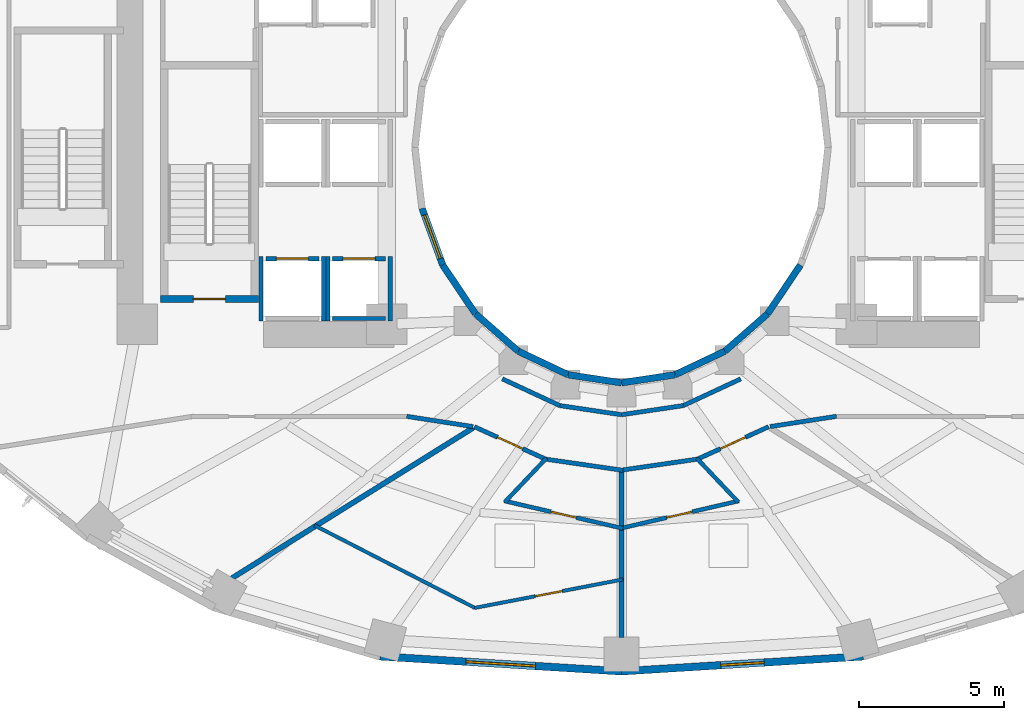
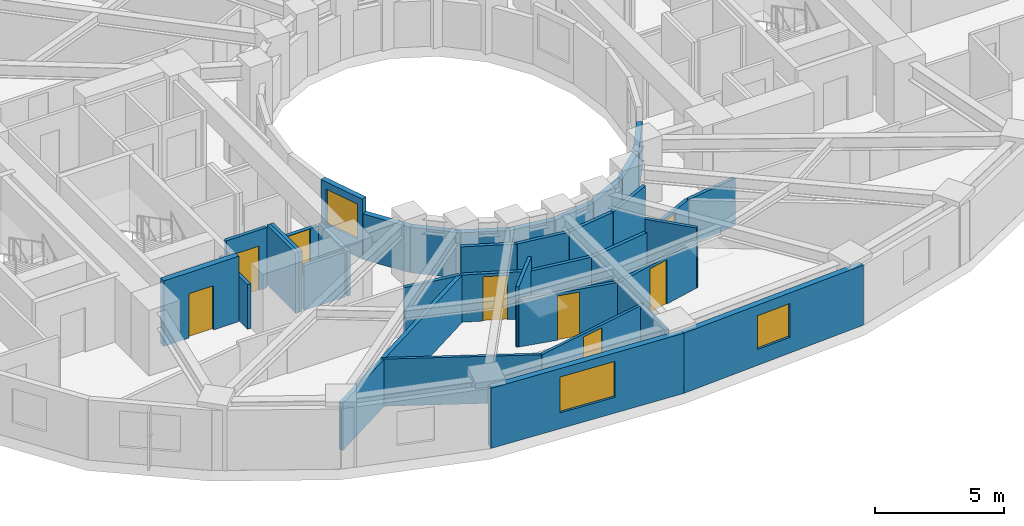
# One storey, part 7 of 14: 37 walls, 8 doors, 3 windows, 11 openings.
"""IFC4 building model written with IfcOpenShell, lengths in metres."""

from ifc_helpers import new_model, si_unit, direction, frame, frame_2d, origin, place, context, subcontext, project, spatial, rectangle, extrude, material, layer, layer_set, type_object, element, fill, save


model = new_model("IFC4")

# Units and contexts
model_context = context("Model", 3, precision=1e-05, world=origin(), true_north=direction((0.0, 1.0)))
body_context = subcontext(model_context, "Body", "Model", "MODEL_VIEW")
ifc_project = project(units=[si_unit("LENGTHUNIT", "METRE"), si_unit("AREAUNIT", "SQUARE_METRE"), si_unit("VOLUMEUNIT", "CUBIC_METRE"), si_unit("PLANEANGLEUNIT", "RADIAN"), si_unit("MASSUNIT", "GRAM", prefix="KILO")], contexts=[model_context])

# Site, building, storey
site_placement = place(None, origin())
site = spatial("IfcSite", under=ifc_project, at=site_placement, CompositionType="ELEMENT")
building_placement = place(site_placement, origin())
building = spatial("IfcBuilding", under=site, at=building_placement, Name="Solvane Sanctuary Tower", CompositionType="ELEMENT")
storey_placement = place(building_placement, frame((0.0, 0.0, 36.89990234375)))
storey = spatial("IfcBuildingStorey", under=building, at=storey_placement, Name="L10", CompositionType="ELEMENT", Elevation=36.89990234375)

# Walls
ifc_material_1 = material(Name="Acoustic Gypsum Partition Board")
ifc_layer_1 = layer(ifc_material_1, 0.14990234375, Name="Acoustic Gypsum Partition Board")
ifc_layer_set_1 = layer_set([ifc_layer_1], Name="Acoustic Gypsum Partition Board")
wall_type_1 = type_object("IfcWallType", Name="Wall W-CORR-150", PredefinedType="PARTITIONING", material=ifc_layer_set_1)
wall_1_placement = place(storey_placement, frame((27.889892578125, 15.01513671875, 0.0), z_axis=(0.0, 0.0, 1.0), x_axis=(0.906943449489, -0.421252393975, 0.0)))
element("IfcWall", 1, at=wall_1_placement, inside=storey, type_object=wall_type_1, Name="L10 Light-Well Corridor Rim Wall S1", PredefinedType="PARTITIONING", context=body_context, shape_type="SweptSolid", body=[
    extrude(rectangle(XDim=2.18603515625, YDim=0.14990234375, at=frame_2d((1.093017578125, 0.0))), origin(), (0.0, 0.0, 1.0), 2.237060546875),
])
for number, where, z_axis, x_axis, name in (
    (2, (29.87255859375, 14.09423828125, 0.0), (0.0, 0.0, 1.0), (0.989268584896, -0.146108408166, 0.0), "L10 Light-Well Corridor Rim Wall S2"),
    (3, (32.0, 13.780029296875, 0.0), (0.0, 0.0, 1.0), (0.989268584896, 0.146108408166, 0.0), "L10 Light-Well Corridor Rim Wall S3"),
):
    element("IfcWall", number, at=place(storey_placement, frame(where, z_axis=z_axis, x_axis=x_axis)), inside=storey, type_object=wall_type_1, Name=name, PredefinedType="PARTITIONING", context=body_context, shape_type="SweptSolid", body=[
        extrude(rectangle(XDim=2.150634765625, YDim=0.14990234375, at=frame_2d((1.0751953125, 0.0))), origin(), (0.0, 0.0, 1.0), 2.237060546875),
    ])
wall_2_placement = place(storey_placement, frame((34.12744140625, 14.09423828125, 0.0), z_axis=(0.0, 0.0, 1.0), x_axis=(0.906943449489, 0.421252393975, 0.0)))
element("IfcWall", 4, at=wall_2_placement, inside=storey, type_object=wall_type_1, Name="L10 Light-Well Corridor Rim Wall S4", PredefinedType="PARTITIONING", context=body_context, shape_type="SweptSolid", body=[
    extrude(rectangle(XDim=2.18603515625, YDim=0.14990234375, at=frame_2d((1.093017578125, 0.0))), origin(), (0.0, 0.0, 1.0), 2.237060546875),
])
for number, where, z_axis, x_axis, name in (
    (5, (26.880615234375, 13.369384765625, 0.0), (0.0, 0.0, 1.0), (-0.988184633586, 0.153268163508, 0.0), "L10 SW Corner Throat Wall"),
    (6, (37.119384765625, 13.369384765625, 0.0), (0.0, 0.0, 1.0), (0.988184633586, 0.153268163508, 0.0), "L10 SE Corner Throat Wall"),
):
    element("IfcWall", number, at=place(storey_placement, frame(where, z_axis=z_axis, x_axis=x_axis)), inside=storey, type_object=wall_type_1, Name=name, PredefinedType="PARTITIONING", context=body_context, shape_type="SweptSolid", body=[
        extrude(rectangle(XDim=2.317626953125, YDim=0.14990234375, at=frame_2d((1.15869140625, 0.0))), origin(), (0.0, 0.0, 1.0), 2.237060546875),
    ])
wall_3_placement = place(storey_placement, frame((29.32861328125, 12.25634765625, 0.0), z_axis=(0.0, 0.0, 1.0), x_axis=(0.989701115085, -0.143149232617, 0.0)))
element("IfcWall", 7, at=wall_3_placement, inside=storey, type_object=wall_type_1, Name="L10 En-suite Inner Wall S1", PredefinedType="PARTITIONING", context=body_context, shape_type="SweptSolid", body=[
    extrude(rectangle(XDim=2.749267578125, YDim=0.14990234375, at=frame_2d((1.37451171875, 0.0))), origin(), (0.0, 0.0, 1.0), 2.237060546875),
])

# Wall, opening, door
wall_4_placement = place(storey_placement, frame((26.928955078125, 13.364990234375, 0.0), z_axis=(0.0, 0.0, 1.0), x_axis=(0.910186679378, -0.414198272186, 0.0)))
wall_4 = element("IfcWall", 8, at=wall_4_placement, inside=storey, type_object=wall_type_1, Name="L10 Unit Corridor Wall S1", PredefinedType="PARTITIONING", context=body_context, shape_type="SweptSolid", body=[
    extrude(rectangle(XDim=2.698486328125, YDim=0.14990234375, at=frame_2d((1.34912109375, 0.0))), origin(), (0.0, 0.0, 1.0), 2.237060546875),
])
opening_1_placement = place(wall_4_placement, frame((0.874267578125, 0.0, 0.0)))
opening_1 = element("IfcOpeningElement", 9, at=opening_1_placement, cuts=wall_4, Name="Opening D-L10-23", PredefinedType="OPENING", context=body_context, shape_type="SweptSolid", body=[
    extrude(rectangle(XDim=0.949951171875, YDim=2.10009765625, at=frame_2d((0.47509765625, 1.050048828125))), frame((0.0, 0.0849609375, 0.0), z_axis=(0.0, -1.0, 0.0), x_axis=(1.0, 0.0, 0.0)), (0.0, 0.0, 1.0), 0.169921875),
])
ifc_material_2 = material(Name="Engineered Tropical Hardwood", Category="wood")
door_type_1 = type_object("IfcDoorType", Name="Door D-ROOM-950", OperationType="NOTDEFINED", PredefinedType="DOOR", material=ifc_material_2)
door_1_placement = place(opening_1_placement, origin())
door_1 = element("IfcDoor", 10, at=door_1_placement, inside=storey, type_object=door_type_1, Name="L10 Unit Entrance Door S1", OperationType="SINGLE_SWING_LEFT", OverallHeight=2.10009765625, OverallWidth=0.949951171875, PredefinedType="DOOR", context=body_context, shape_type="SweptSolid", body=[
    extrude(rectangle(XDim=0.949951171875, YDim=2.10009765625, at=frame_2d((0.47509765625, 1.050048828125))), frame((0.0, 0.02490234375, 0.0), z_axis=(0.0, -1.0, 0.0), x_axis=(1.0, 0.0, 0.0)), (0.0, 0.0, 1.0), 0.050048828125),
])
fill(opening_1, door_1)

# Wall
wall_5_placement = place(storey_placement, frame((31.950439453125, 11.86279296875, 0.0), z_axis=(0.0, 0.0, 1.0), x_axis=(0.989701115085, 0.143149232617, 0.0)))
element("IfcWall", 11, at=wall_5_placement, inside=storey, type_object=wall_type_1, Name="L10 En-suite Inner Wall S2", PredefinedType="PARTITIONING", context=body_context, shape_type="SweptSolid", body=[
    extrude(rectangle(XDim=2.749267578125, YDim=0.14990234375, at=frame_2d((1.37451171875, 0.0))), origin(), (0.0, 0.0, 1.0), 2.237060546875),
])

# Wall, opening, door
wall_6_placement = place(storey_placement, frame((34.614990234375, 12.247314453125, 0.0), z_axis=(0.0, 0.0, 1.0), x_axis=(0.910186679378, 0.414198272186, 0.0)))
wall_6 = element("IfcWall", 12, at=wall_6_placement, inside=storey, type_object=wall_type_1, Name="L10 Unit Corridor Wall S2", PredefinedType="PARTITIONING", context=body_context, shape_type="SweptSolid", body=[
    extrude(rectangle(XDim=2.698486328125, YDim=0.14990234375, at=frame_2d((1.34912109375, 0.0))), origin(), (0.0, 0.0, 1.0), 2.237060546875),
])
opening_2_placement = place(wall_6_placement, frame((0.874267578125, 0.0, 0.0)))
opening_2 = element("IfcOpeningElement", 13, at=opening_2_placement, cuts=wall_6, Name="Opening D-L10-25", PredefinedType="OPENING", context=body_context, shape_type="SweptSolid", body=[
    extrude(rectangle(XDim=0.949951171875, YDim=2.10009765625, at=frame_2d((0.47509765625, 1.050048828125))), frame((0.0, 0.0849609375, 0.0), z_axis=(0.0, -1.0, 0.0), x_axis=(1.0, 0.0, 0.0)), (0.0, 0.0, 1.0), 0.169921875),
])
door_2_placement = place(opening_2_placement, origin())
door_2 = element("IfcDoor", 14, at=door_2_placement, inside=storey, type_object=door_type_1, Name="L10 Unit Entrance Door S2", OperationType="SINGLE_SWING_LEFT", OverallHeight=2.10009765625, OverallWidth=0.949951171875, PredefinedType="DOOR", context=body_context, shape_type="SweptSolid", body=[
    extrude(rectangle(XDim=0.949951171875, YDim=2.10009765625, at=frame_2d((0.47509765625, 1.050048828125))), frame((0.0, 0.02490234375, 0.0), z_axis=(0.0, -1.0, 0.0), x_axis=(1.0, 0.0, 0.0)), (0.0, 0.0, 1.0), 0.050048828125),
])
fill(opening_2, door_2)

# Wall, opening, window
ifc_material_3 = material(Name="Precast concrete C40/50", Category="concrete")
ifc_layer_2 = layer(ifc_material_3, 0.260009765625, Name="Precast concrete C40/50")
ifc_layer_set_2 = layer_set([ifc_layer_2], Name="Precast concrete C40/50")
wall_type_2 = type_object("IfcWallType", Name="Wall W-EXT-250", PredefinedType="STANDARD", material=ifc_layer_set_2)
wall_7_placement = place(storey_placement, frame((23.668212890625, 5.447021484375, 0.0), z_axis=(0.0, 0.0, 1.0), x_axis=(0.998090514779, -0.061768311519, 0.0)))
wall_7 = element("IfcWall", 15, at=wall_7_placement, inside=storey, type_object=wall_type_2, Name="L10 Ceramic-Printed Facade Wall 17", PredefinedType="STANDARD", context=body_context, shape_type="SweptSolid", body=[
    extrude(rectangle(XDim=8.34765625, YDim=0.260009765625, at=frame_2d((4.173828125, 0.0))), origin(), (0.0, 0.0, 1.0), 2.85009765625),
])
opening_3_placement = place(wall_7_placement, frame((2.973876953125, 0.0, 0.75)))
opening_3 = element("IfcOpeningElement", 16, at=opening_3_placement, cuts=wall_7, Name="Opening WN-RIB-2400", PredefinedType="OPENING", context=body_context, shape_type="SweptSolid", body=[
    extrude(rectangle(XDim=2.39990234375, YDim=1.699951171875, at=frame_2d((1.199951171875, 0.85009765625))), frame((0.0, 0.139892578125, 0.0), z_axis=(0.0, -1.0, 0.0), x_axis=(1.0, 0.0, 0.0)), (0.0, 0.0, 1.0), 0.280029296875),
])
ifc_material_4 = material(Name="Dark Ceramic-Fritted Low-E Glass", Category="glass")
window_type_1 = type_object("IfcWindowType", Name="Window WN-RIB-2400", PartitioningType="SINGLE_PANEL", PredefinedType="WINDOW", material=ifc_material_4)
window_1_placement = place(opening_3_placement, origin())
window_1 = element("IfcWindow", 17, at=window_1_placement, inside=storey, type_object=window_type_1, Name="L10 Operable Facade Window 17", OverallHeight=1.699951171875, OverallWidth=2.39990234375, PartitioningType="SINGLE_PANEL", PredefinedType="WINDOW", context=body_context, shape_type="SweptSolid", body=[
    extrude(rectangle(XDim=2.39990234375, YDim=1.699951171875, at=frame_2d((1.199951171875, 0.85009765625))), frame((0.0, 0.030029296875, 0.0), z_axis=(0.0, -1.0, 0.0), x_axis=(1.0, 0.0, 0.0)), (0.0, 0.0, 1.0), 0.06005859375),
])
fill(opening_3, window_1)

wall_8_placement = place(storey_placement, frame((32.0, 4.931396484375, 0.0), z_axis=(0.0, 0.0, 1.0), x_axis=(0.998090514779, 0.061768311519, 0.0)))
wall_8 = element("IfcWall", 18, at=wall_8_placement, inside=storey, type_object=wall_type_2, Name="L10 Ceramic-Printed Facade Wall 18", PredefinedType="STANDARD", context=body_context, shape_type="SweptSolid", body=[
    extrude(rectangle(XDim=8.34765625, YDim=0.260009765625, at=frame_2d((4.173828125, 0.0))), origin(), (0.0, 0.0, 1.0), 2.85009765625),
])
opening_4_placement = place(wall_8_placement, frame((3.423828125, 0.0, 0.75)))
opening_4 = element("IfcOpeningElement", 19, at=opening_4_placement, cuts=wall_8, Name="Opening WN-OPER-1500", PredefinedType="OPENING", context=body_context, shape_type="SweptSolid", body=[
    extrude(rectangle(XDim=1.5, YDim=1.60009765625, at=frame_2d((0.75, 0.800048828125))), frame((0.0, 0.139892578125, 0.0), z_axis=(0.0, -1.0, 0.0), x_axis=(1.0, 0.0, 0.0)), (0.0, 0.0, 1.0), 0.280029296875),
])
window_type_2 = type_object("IfcWindowType", Name="Window WN-OPER-1500", PartitioningType="SINGLE_PANEL", PredefinedType="WINDOW", material=ifc_material_4)
window_2_placement = place(opening_4_placement, origin())
window_2 = element("IfcWindow", 20, at=window_2_placement, inside=storey, type_object=window_type_2, Name="L10 Operable Facade Window 18", OverallHeight=1.60009765625, OverallWidth=1.5, PartitioningType="SINGLE_PANEL", PredefinedType="WINDOW", context=body_context, shape_type="SweptSolid", body=[
    extrude(rectangle(XDim=1.5, YDim=1.60009765625, at=frame_2d((0.75, 0.800048828125))), frame((0.0, 0.030029296875, 0.0), z_axis=(0.0, -1.0, 0.0), x_axis=(1.0, 0.0, 0.0)), (0.0, 0.0, 1.0), 0.06005859375),
])
fill(opening_4, window_2)

ifc_layer_3 = layer(ifc_material_3, 0.22998046875, Name="Precast concrete C40/50")
ifc_layer_set_3 = layer_set([ifc_layer_3], Name="Precast concrete C40/50")
wall_type_3 = type_object("IfcWallType", Name="Wall W-EXT-SP220", PredefinedType="STANDARD", material=ifc_layer_set_3)
wall_9_placement = place(storey_placement, frame((25.12255859375, 20.8984375, 0.0), z_axis=(0.0, 0.0, 1.0), x_axis=(0.341423187295, -0.93990968033, 0.0)))
wall_9 = element("IfcWall", 21, at=wall_9_placement, inside=storey, type_object=wall_type_3, Name="L10 Central Light-Well Wall 13", PredefinedType="STANDARD", context=body_context, shape_type="SweptSolid", body=[
    extrude(rectangle(XDim=2.083740234375, YDim=0.22998046875, at=frame_2d((1.0419921875, 0.0))), origin(), (0.0, 0.0, 1.0), 2.840087890625),
])
opening_5_placement = place(wall_9_placement, frame((0.24169921875, 0.0, 0.85009765625)))
opening_5 = element("IfcOpeningElement", 22, at=opening_5_placement, cuts=wall_9, Name="Opening WN-WELL-1600", PredefinedType="OPENING", context=body_context, shape_type="SweptSolid", body=[
    extrude(rectangle(XDim=1.60009765625, YDim=1.64990234375, at=frame_2d((0.800048828125, 0.824951171875))), frame((0.0, 0.125, 0.0), z_axis=(0.0, -1.0, 0.0), x_axis=(1.0, 0.0, 0.0)), (0.0, 0.0, 1.0), 0.25),
])
ifc_material_5 = material(Name="Clear Laminated Light-Well Glass", Category="glass")
window_type_3 = type_object("IfcWindowType", Name="Window WN-WELL-1600", PartitioningType="SINGLE_PANEL", PredefinedType="WINDOW", material=ifc_material_5)
window_3_placement = place(opening_5_placement, origin())
window_3 = element("IfcWindow", 23, at=window_3_placement, inside=storey, type_object=window_type_3, Name="L10 Light-Well Daylight Window 13", OverallHeight=1.64990234375, OverallWidth=1.60009765625, PartitioningType="SINGLE_PANEL", PredefinedType="WINDOW", context=body_context, shape_type="SweptSolid", body=[
    extrude(rectangle(XDim=1.60009765625, YDim=1.64990234375, at=frame_2d((0.800048828125, 0.824951171875))), frame((0.0, 0.030029296875, 0.0), z_axis=(0.0, -1.0, 0.0), x_axis=(1.0, 0.0, 0.0)), (0.0, 0.0, 1.0), 0.06005859375),
])
fill(opening_5, window_3)

# Walls
wall_10_placement = place(storey_placement, frame((25.833984375, 18.93994140625, 0.0), z_axis=(0.0, 0.0, 1.0), x_axis=(0.558197800898, -0.829707909492, 0.0)))
element("IfcWall", 24, at=wall_10_placement, inside=storey, type_object=wall_type_3, Name="L10 Central Light-Well Wall 14", PredefinedType="STANDARD", context=body_context, shape_type="SweptSolid", body=[
    extrude(rectangle(XDim=2.02685546875, YDim=0.22998046875, at=frame_2d((1.013427734375, 0.0))), origin(), (0.0, 0.0, 1.0), 2.16015625),
])
wall_11_placement = place(storey_placement, frame((26.96533203125, 17.25830078125, 0.0), z_axis=(0.0, 0.0, 1.0), x_axis=(0.752576694707, -0.658504607869, 0.0)))
element("IfcWall", 25, at=wall_11_placement, inside=storey, type_object=wall_type_3, Name="L10 Central Light-Well Wall 15", PredefinedType="STANDARD", context=body_context, shape_type="SweptSolid", body=[
    extrude(rectangle(XDim=1.95947265625, YDim=0.22998046875, at=frame_2d((0.979736328125, 0.0))), origin(), (0.0, 0.0, 1.0), 2.16015625),
])
wall_12_placement = place(storey_placement, frame((28.43994140625, 15.968017578125, 0.0), z_axis=(0.0, 0.0, 1.0), x_axis=(0.904179699603, -0.427152280606, 0.0)))
element("IfcWall", 26, at=wall_12_placement, inside=storey, type_object=wall_type_3, Name="L10 Central Light-Well Wall 16", PredefinedType="STANDARD", context=body_context, shape_type="SweptSolid", body=[
    extrude(rectangle(XDim=1.899169921875, YDim=0.22998046875, at=frame_2d((0.94970703125, 0.0))), origin(), (0.0, 0.0, 1.0), 2.16015625),
])
for number, where, z_axis, x_axis, name in (
    (27, (30.1572265625, 15.15673828125, 0.0), (0.0, 0.0, 1.0), (0.988901730308, -0.148571086668, 0.0), "L10 Central Light-Well Wall 17"),
    (28, (32.0, 14.8798828125, 0.0), (0.0, 0.0, 1.0), (0.988901730308, 0.148571086668, 0.0), "L10 Central Light-Well Wall 18"),
):
    element("IfcWall", number, at=place(storey_placement, frame(where, z_axis=z_axis, x_axis=x_axis)), inside=storey, type_object=wall_type_3, Name=name, PredefinedType="STANDARD", context=body_context, shape_type="SweptSolid", body=[
        extrude(rectangle(XDim=1.863525390625, YDim=0.22998046875, at=frame_2d((0.931640625, 0.0))), origin(), (0.0, 0.0, 1.0), 2.16015625),
    ])
wall_13_placement = place(storey_placement, frame((33.8427734375, 15.15673828125, 0.0), z_axis=(0.0, 0.0, 1.0), x_axis=(0.904179699603, 0.427152280606, 0.0)))
element("IfcWall", 29, at=wall_13_placement, inside=storey, type_object=wall_type_3, Name="L10 Central Light-Well Wall 19", PredefinedType="STANDARD", context=body_context, shape_type="SweptSolid", body=[
    extrude(rectangle(XDim=1.899169921875, YDim=0.22998046875, at=frame_2d((0.94970703125, 0.0))), origin(), (0.0, 0.0, 1.0), 2.16015625),
])
wall_14_placement = place(storey_placement, frame((35.56005859375, 15.968017578125, 0.0), z_axis=(0.0, 0.0, 1.0), x_axis=(0.752576694707, 0.658504607869, 0.0)))
element("IfcWall", 30, at=wall_14_placement, inside=storey, type_object=wall_type_3, Name="L10 Central Light-Well Wall 20", PredefinedType="STANDARD", context=body_context, shape_type="SweptSolid", body=[
    extrude(rectangle(XDim=1.95947265625, YDim=0.22998046875, at=frame_2d((0.979736328125, 0.0))), origin(), (0.0, 0.0, 1.0), 2.16015625),
])
wall_15_placement = place(storey_placement, frame((37.03466796875, 17.25830078125, 0.0), z_axis=(0.0, 0.0, 1.0), x_axis=(0.558197800898, 0.829707909492, 0.0)))
element("IfcWall", 31, at=wall_15_placement, inside=storey, type_object=wall_type_3, Name="L10 Central Light-Well Wall 21", PredefinedType="STANDARD", context=body_context, shape_type="SweptSolid", body=[
    extrude(rectangle(XDim=2.02685546875, YDim=0.22998046875, at=frame_2d((1.013427734375, 0.0))), origin(), (0.0, 0.0, 1.0), 2.16015625),
])
ifc_layer_4 = layer(ifc_material_1, 0.1201171875, Name="Acoustic Gypsum Partition Board")
ifc_layer_set_4 = layer_set([ifc_layer_4], Name="Acoustic Gypsum Partition Board")
wall_type_4 = type_object("IfcWallType", Name="Wall W-MOV-100", PredefinedType="MOVABLE", material=ifc_layer_set_4)
wall_16_placement = place(storey_placement, frame((21.40869140625, 9.96728515625, 0.0), z_axis=(0.0, 0.0, 1.0), x_axis=(0.889172609005, -0.457571930296, 0.0)))
element("IfcWall", 32, at=wall_16_placement, inside=storey, type_object=wall_type_4, Name="L10 Suite Sitting Lounge Partition S1", PredefinedType="MOVABLE", context=body_context, shape_type="SweptSolid", body=[
    extrude(rectangle(XDim=6.232421875, YDim=0.1201171875, at=frame_2d((3.1162109375, 0.0))), origin(), (0.0, 0.0, 1.0), 2.237060546875),
])

# Wall, opening, door
wall_17_placement = place(storey_placement, frame((26.931884765625, 7.1181640625, 0.0), z_axis=(0.0, 0.0, 1.0), x_axis=(0.982039182538, 0.188677089126, 0.0)))
wall_17 = element("IfcWall", 33, at=wall_17_placement, inside=storey, type_object=wall_type_4, Name="L10 Suite Sitting Lounge Partition S1", PredefinedType="MOVABLE", context=body_context, shape_type="SweptSolid", body=[
    extrude(rectangle(XDim=5.210693359375, YDim=0.1201171875, at=frame_2d((2.60546875, 0.0))), origin(), (0.0, 0.0, 1.0), 2.237060546875),
])
opening_6_placement = place(wall_17_placement, frame((2.130615234375, 0.0, 0.0)))
opening_6 = element("IfcOpeningElement", 34, at=opening_6_placement, cuts=wall_17, Name="Opening D-L10-21", PredefinedType="OPENING", context=body_context, shape_type="SweptSolid", body=[
    extrude(rectangle(XDim=0.949951171875, YDim=2.10009765625, at=frame_2d((0.47509765625, 1.050048828125))), frame((0.0, 0.070068359375, 0.0), z_axis=(0.0, -1.0, 0.0), x_axis=(1.0, 0.0, 0.0)), (0.0, 0.0, 1.0), 0.14013671875),
])
door_3_placement = place(opening_6_placement, origin())
door_3 = element("IfcDoor", 35, at=door_3_placement, inside=storey, type_object=door_type_1, Name="L10 Suite Sitting Lounge Door S1", OperationType="SINGLE_SWING_LEFT", OverallHeight=2.10009765625, OverallWidth=0.949951171875, PredefinedType="DOOR", context=body_context, shape_type="SweptSolid", body=[
    extrude(rectangle(XDim=0.949951171875, YDim=2.10009765625, at=frame_2d((0.47509765625, 1.050048828125))), frame((0.0, 0.02490234375, 0.0), z_axis=(0.0, -1.0, 0.0), x_axis=(1.0, 0.0, 0.0)), (0.0, 0.0, 1.0), 0.050048828125),
])
fill(opening_6, door_3)

ifc_material_6 = material(Name="Concrete C50/60", Category="concrete")
ifc_layer_5 = layer(ifc_material_6, 0.14990234375, Name="Concrete C50/60")
ifc_layer_set_5 = layer_set([ifc_layer_5], Name="Concrete C50/60")
wall_type_5 = type_object("IfcWallType", Name="Wall W-SHAFT-150", PredefinedType="SOLIDWALL", material=ifc_layer_set_5)
wall_18_placement = place(storey_placement, frame((19.739990234375, 19.159912109375, 0.0), z_axis=(0.0, 0.0, 1.0), x_axis=(1.0, 0.0, 0.0)))
wall_18 = element("IfcWall", 36, at=wall_18_placement, inside=storey, type_object=wall_type_5, Name="L10 PL-1 Lift Shaft Wall F", PredefinedType="SOLIDWALL", context=body_context, shape_type="SweptSolid", body=[
    extrude(rectangle(XDim=1.820068359375, YDim=0.14990234375, at=frame_2d((0.91015625, 0.0))), origin(), (0.0, 0.0, 1.0), 2.85498046875),
])
opening_7_placement = place(wall_18_placement, frame((0.360107421875, 0.0, 0.0)))
opening_7 = element("IfcOpeningElement", 37, at=opening_7_placement, cuts=wall_18, Name="Opening LD-L10-01", PredefinedType="OPENING", context=body_context, shape_type="SweptSolid", body=[
    extrude(rectangle(XDim=1.10009765625, YDim=2.10009765625, at=frame_2d((0.550048828125, 1.050048828125))), frame((0.0, 0.0849609375, 0.0), z_axis=(0.0, -1.0, 0.0), x_axis=(1.0, 0.0, 0.0)), (0.0, 0.0, 1.0), 0.169921875),
])
ifc_material_7 = material(Name="Architectural Stainless Steel 316", Category="steel")
door_type_2 = type_object("IfcDoorType", Name="Door LD-PASS-1100", OperationType="NOTDEFINED", PredefinedType="DOOR", material=ifc_material_7)
door_4_placement = place(opening_7_placement, origin())
door_4 = element("IfcDoor", 38, at=door_4_placement, inside=storey, type_object=door_type_2, Name="L10 PL-1 Lift Landing Door", OperationType="DOUBLE_DOOR_SLIDING", OverallHeight=2.10009765625, OverallWidth=1.10009765625, PredefinedType="DOOR", context=body_context, shape_type="SweptSolid", body=[
    extrude(rectangle(XDim=1.10009765625, YDim=2.10009765625, at=frame_2d((0.550048828125, 1.050048828125))), frame((0.0, 0.02490234375, 0.0), z_axis=(0.0, -1.0, 0.0), x_axis=(1.0, 0.0, 0.0)), (0.0, 0.0, 1.0), 0.050048828125),
])
fill(opening_7, door_4)

# Walls
wall_19_placement = place(storey_placement, frame((19.570068359375, 17.02001953125, 0.0), z_axis=(0.0, 0.0, 1.0), x_axis=(0.0, 1.0, 0.0)))
element("IfcWall", 39, at=wall_19_placement, inside=storey, type_object=wall_type_5, Name="L10 PL-1 Lift Shaft Wall S1", PredefinedType="SOLIDWALL", context=body_context, shape_type="SweptSolid", body=[
    extrude(rectangle(XDim=2.219970703125, YDim=0.14990234375, at=frame_2d((1.10986328125, 0.0))), origin(), (0.0, 0.0, 1.0), 2.1201171875),
])
wall_20_placement = place(storey_placement, frame((21.72998046875, 17.02001953125, 0.0), z_axis=(0.0, 0.0, 1.0), x_axis=(0.0, 1.0, 0.0)))
element("IfcWall", 40, at=wall_20_placement, inside=storey, type_object=wall_type_5, Name="L10 PL-1 Lift Shaft Wall S2", PredefinedType="SOLIDWALL", context=body_context, shape_type="SweptSolid", body=[
    extrude(rectangle(XDim=2.219970703125, YDim=0.14990234375, at=frame_2d((1.10986328125, 0.0))), origin(), (0.0, 0.0, 1.0), 2.85498046875),
])

# Wall, opening, door
wall_21_placement = place(storey_placement, frame((22.0400390625, 19.159912109375, 0.0), z_axis=(0.0, 0.0, 1.0), x_axis=(1.0, 0.0, 0.0)))
wall_21 = element("IfcWall", 41, at=wall_21_placement, inside=storey, type_object=wall_type_5, Name="L10 PL-2 Lift Shaft Wall F", PredefinedType="SOLIDWALL", context=body_context, shape_type="SweptSolid", body=[
    extrude(rectangle(XDim=1.820068359375, YDim=0.14990234375, at=frame_2d((0.91015625, 0.0))), origin(), (0.0, 0.0, 1.0), 2.1201171875),
])
opening_8_placement = place(wall_21_placement, frame((0.360107421875, 0.0, 0.0)))
opening_8 = element("IfcOpeningElement", 42, at=opening_8_placement, cuts=wall_21, Name="Opening LD-L10-02", PredefinedType="OPENING", context=body_context, shape_type="SweptSolid", body=[
    extrude(rectangle(XDim=1.10009765625, YDim=2.10009765625, at=frame_2d((0.550048828125, 1.050048828125))), frame((0.0, 0.0849609375, 0.0), z_axis=(0.0, -1.0, 0.0), x_axis=(1.0, 0.0, 0.0)), (0.0, 0.0, 1.0), 0.169921875),
])
door_5_placement = place(opening_8_placement, origin())
door_5 = element("IfcDoor", 43, at=door_5_placement, inside=storey, type_object=door_type_2, Name="L10 PL-2 Lift Landing Door", OperationType="DOUBLE_DOOR_SLIDING", OverallHeight=2.10009765625, OverallWidth=1.10009765625, PredefinedType="DOOR", context=body_context, shape_type="SweptSolid", body=[
    extrude(rectangle(XDim=1.10009765625, YDim=2.10009765625, at=frame_2d((0.550048828125, 1.050048828125))), frame((0.0, 0.02490234375, 0.0), z_axis=(0.0, -1.0, 0.0), x_axis=(1.0, 0.0, 0.0)), (0.0, 0.0, 1.0), 0.050048828125),
])
fill(opening_8, door_5)

# Walls
wall_22_placement = place(storey_placement, frame((22.0400390625, 17.10009765625, 0.0), z_axis=(0.0, 0.0, 1.0), x_axis=(1.0, 0.0, 0.0)))
element("IfcWall", 44, at=wall_22_placement, inside=storey, type_object=wall_type_5, Name="L10 PL-2 Lift Shaft Wall B", PredefinedType="SOLIDWALL", context=body_context, shape_type="SweptSolid", body=[
    extrude(rectangle(XDim=1.820068359375, YDim=0.14990234375, at=frame_2d((0.91015625, 0.0))), origin(), (0.0, 0.0, 1.0), 2.1201171875),
])
wall_23_placement = place(storey_placement, frame((21.8701171875, 17.02001953125, 0.0), z_axis=(0.0, 0.0, 1.0), x_axis=(0.0, 1.0, 0.0)))
element("IfcWall", 45, at=wall_23_placement, inside=storey, type_object=wall_type_5, Name="L10 PL-2 Lift Shaft Wall S1", PredefinedType="SOLIDWALL", context=body_context, shape_type="SweptSolid", body=[
    extrude(rectangle(XDim=2.219970703125, YDim=0.14990234375, at=frame_2d((1.10986328125, 0.0))), origin(), (0.0, 0.0, 1.0), 2.85498046875),
])
wall_24_placement = place(storey_placement, frame((24.030029296875, 17.02001953125, 0.0), z_axis=(0.0, 0.0, 1.0), x_axis=(0.0, 1.0, 0.0)))
element("IfcWall", 46, at=wall_24_placement, inside=storey, type_object=wall_type_5, Name="L10 PL-2 Lift Shaft Wall S2", PredefinedType="SOLIDWALL", context=body_context, shape_type="SweptSolid", body=[
    extrude(rectangle(XDim=2.219970703125, YDim=0.14990234375, at=frame_2d((1.10986328125, 0.0))), origin(), (0.0, 0.0, 1.0), 2.1201171875),
])

# Wall, opening, door
ifc_layer_6 = layer(ifc_material_6, 0.25, Name="Concrete C50/60")
ifc_layer_set_6 = layer_set([ifc_layer_6], Name="Concrete C50/60")
wall_type_6 = type_object("IfcWallType", Name="Wall W-SHAFT-250", PredefinedType="SOLIDWALL", material=ifc_layer_set_6)
wall_25_placement = place(storey_placement, frame((16.10498046875, 17.77001953125, 0.0), z_axis=(0.0, 0.0, 1.0), x_axis=(1.0, 0.0, 0.0)))
wall_25 = element("IfcWall", 47, at=wall_25_placement, inside=storey, type_object=wall_type_6, Name="L10 ST-1 Load-Bearing Shaft Wall S", PredefinedType="SOLIDWALL", context=body_context, shape_type="SweptSolid", body=[
    extrude(rectangle(XDim=3.3701171875, YDim=0.25, at=frame_2d((1.68505859375, 0.0))), origin(), (0.0, 0.0, 1.0), 3.10009765625),
])
opening_9_placement = place(wall_25_placement, frame((1.135009765625, 0.0, 0.0)))
opening_9 = element("IfcOpeningElement", 48, at=opening_9_placement, cuts=wall_25, Name="Opening D-L10-01", PredefinedType="OPENING", context=body_context, shape_type="SweptSolid", body=[
    extrude(rectangle(XDim=1.10009765625, YDim=2.10009765625, at=frame_2d((0.550048828125, 1.050048828125))), frame((0.0, 0.135009765625, 0.0), z_axis=(0.0, -1.0, 0.0), x_axis=(1.0, 0.0, 0.0)), (0.0, 0.0, 1.0), 0.27001953125),
])
door_type_3 = type_object("IfcDoorType", Name="Door D-STAIR", OperationType="NOTDEFINED", PredefinedType="DOOR", material=ifc_material_7)
door_6_placement = place(opening_9_placement, origin())
door_6 = element("IfcDoor", 49, at=door_6_placement, inside=storey, type_object=door_type_3, Name="L10 ST-1 Exit Stair Fire Door", OperationType="SINGLE_SWING_RIGHT", OverallHeight=2.10009765625, OverallWidth=1.10009765625, PredefinedType="DOOR", context=body_context, shape_type="SweptSolid", body=[
    extrude(rectangle(XDim=1.10009765625, YDim=2.10009765625, at=frame_2d((0.550048828125, 1.050048828125))), frame((0.0, 0.02490234375, 0.0), z_axis=(0.0, -1.0, 0.0), x_axis=(1.0, 0.0, 0.0)), (0.0, 0.0, 1.0), 0.050048828125),
])
fill(opening_9, door_6)

# Walls
ifc_layer_7 = layer(ifc_material_1, 0.179931640625, Name="Acoustic Gypsum Partition Board")
ifc_layer_set_7 = layer_set([ifc_layer_7], Name="Acoustic Gypsum Partition Board")
wall_type_7 = type_object("IfcWallType", Name="Wall W-UNIT-180", PredefinedType="PARTITIONING", material=ifc_layer_set_7)
wall_26_placement = place(storey_placement, frame((26.88818359375, 13.33203125, 0.0), z_axis=(0.0, 0.0, 1.0), x_axis=(-0.848647785721, -0.52895834977, 0.0)))
element("IfcWall", 50, at=wall_26_placement, inside=storey, type_object=wall_type_7, Name="L10 Radial Compartment Wall 240", PredefinedType="PARTITIONING", context=body_context, shape_type="SweptSolid", body=[
    extrude(rectangle(XDim=9.810302734375, YDim=0.179931640625, at=frame_2d((4.9052734375, 0.0))), origin(), (0.0, 0.0, 1.0), 2.237060546875),
])
wall_27_placement = place(storey_placement, frame((32.0, 11.81494140625, 0.0), z_axis=(0.0, 0.0, 1.0), x_axis=(0.0, -1.0, 0.0)))
element("IfcWall", 51, at=wall_27_placement, inside=storey, type_object=wall_type_7, Name="L10 Radial Compartment Wall 270", PredefinedType="PARTITIONING", context=body_context, shape_type="SweptSolid", body=[
    extrude(rectangle(XDim=5.71484375, YDim=0.179931640625, at=frame_2d((2.857421875, 0.0))), origin(), (0.0, 0.0, 1.0), 2.237060546875),
])
ifc_layer_8 = layer(ifc_material_1, 0.139892578125, Name="Acoustic Gypsum Partition Board")
ifc_layer_set_8 = layer_set([ifc_layer_8], Name="Acoustic Gypsum Partition Board")
wall_type_8 = type_object("IfcWallType", Name="Wall W-WET-140", PredefinedType="PLUMBINGWALL", material=ifc_layer_set_8)
wall_28_placement = place(storey_placement, frame((29.41259765625, 12.285400390625, 0.0), z_axis=(0.0, 0.0, 1.0), x_axis=(-0.687544693502, -0.72614206216, 0.0)))
element("IfcWall", 52, at=wall_28_placement, inside=storey, type_object=wall_type_8, Name="L10 En-suite Side Partition S1", PredefinedType="PLUMBINGWALL", context=body_context, shape_type="SweptSolid", body=[
    extrude(rectangle(XDim=2.10009765625, YDim=0.139892578125, at=frame_2d((1.050048828125, 0.0))), origin(), (0.0, 0.0, 1.0), 2.85498046875),
])

# Wall, opening, door
wall_29_placement = place(storey_placement, frame((27.954345703125, 10.80810546875, 0.0), z_axis=(0.0, 0.0, 1.0), x_axis=(0.974148813221, -0.225907259071, 0.0)))
wall_29 = element("IfcWall", 53, at=wall_29_placement, inside=storey, type_object=wall_type_8, Name="L10 En-suite Bedroom Wall S1", PredefinedType="PLUMBINGWALL", context=body_context, shape_type="SweptSolid", body=[
    extrude(rectangle(XDim=4.202880859375, YDim=0.139892578125, at=frame_2d((2.1015625, 0.0))), origin(), (0.0, 0.0, 1.0), 2.237060546875),
])
opening_10_placement = place(wall_29_placement, frame((1.651611328125, 0.0, 0.0)))
opening_10 = element("IfcOpeningElement", 54, at=opening_10_placement, cuts=wall_29, Name="Opening D-L10-22", PredefinedType="OPENING", context=body_context, shape_type="SweptSolid", body=[
    extrude(rectangle(XDim=0.89990234375, YDim=2.10009765625, at=frame_2d((0.449951171875, 1.050048828125))), frame((0.0, 0.079833984375, 0.0), z_axis=(0.0, -1.0, 0.0), x_axis=(1.0, 0.0, 0.0)), (0.0, 0.0, 1.0), 0.159912109375),
])
door_type_4 = type_object("IfcDoorType", Name="Door D-WET-900", OperationType="NOTDEFINED", PredefinedType="DOOR", material=ifc_material_2)
door_7_placement = place(opening_10_placement, origin())
door_7 = element("IfcDoor", 55, at=door_7_placement, inside=storey, type_object=door_type_4, Name="L10 En-suite Bathroom Door S1", OperationType="SINGLE_SWING_RIGHT", OverallHeight=2.10009765625, OverallWidth=0.89990234375, PredefinedType="DOOR", context=body_context, shape_type="SweptSolid", body=[
    extrude(rectangle(XDim=0.89990234375, YDim=2.10009765625, at=frame_2d((0.449951171875, 1.050048828125))), frame((0.0, 0.02490234375, 0.0), z_axis=(0.0, -1.0, 0.0), x_axis=(1.0, 0.0, 0.0)), (0.0, 0.0, 1.0), 0.050048828125),
])
fill(opening_10, door_7)

# Wall
wall_30_placement = place(storey_placement, frame((34.58740234375, 12.285400390625, 0.0), z_axis=(0.0, 0.0, 1.0), x_axis=(0.687544693502, -0.72614206216, 0.0)))
element("IfcWall", 56, at=wall_30_placement, inside=storey, type_object=wall_type_8, Name="L10 En-suite Side Partition S2", PredefinedType="PLUMBINGWALL", context=body_context, shape_type="SweptSolid", body=[
    extrude(rectangle(XDim=2.10009765625, YDim=0.139892578125, at=frame_2d((1.050048828125, 0.0))), origin(), (0.0, 0.0, 1.0), 2.85498046875),
])

# Wall, opening, door
wall_31_placement = place(storey_placement, frame((31.951416015625, 9.858642578125, 0.0), z_axis=(0.0, 0.0, 1.0), x_axis=(0.974148813221, 0.225907259071, 0.0)))
wall_31 = element("IfcWall", 57, at=wall_31_placement, inside=storey, type_object=wall_type_8, Name="L10 En-suite Bedroom Wall S2", PredefinedType="PLUMBINGWALL", context=body_context, shape_type="SweptSolid", body=[
    extrude(rectangle(XDim=4.202880859375, YDim=0.139892578125, at=frame_2d((2.1015625, 0.0))), origin(), (0.0, 0.0, 1.0), 2.237060546875),
])
opening_11_placement = place(wall_31_placement, frame((1.651611328125, 0.0, 0.0)))
opening_11 = element("IfcOpeningElement", 58, at=opening_11_placement, cuts=wall_31, Name="Opening D-L10-24", PredefinedType="OPENING", context=body_context, shape_type="SweptSolid", body=[
    extrude(rectangle(XDim=0.89990234375, YDim=2.10009765625, at=frame_2d((0.449951171875, 1.050048828125))), frame((0.0, 0.079833984375, 0.0), z_axis=(0.0, -1.0, 0.0), x_axis=(1.0, 0.0, 0.0)), (0.0, 0.0, 1.0), 0.159912109375),
])
door_8_placement = place(opening_11_placement, origin())
door_8 = element("IfcDoor", 59, at=door_8_placement, inside=storey, type_object=door_type_4, Name="L10 En-suite Bathroom Door S2", OperationType="SINGLE_SWING_RIGHT", OverallHeight=2.10009765625, OverallWidth=0.89990234375, PredefinedType="DOOR", context=body_context, shape_type="SweptSolid", body=[
    extrude(rectangle(XDim=0.89990234375, YDim=2.10009765625, at=frame_2d((0.449951171875, 1.050048828125))), frame((0.0, 0.02490234375, 0.0), z_axis=(0.0, -1.0, 0.0), x_axis=(1.0, 0.0, 0.0)), (0.0, 0.0, 1.0), 0.050048828125),
])
fill(opening_11, door_8)

save(model, "model.ifc")
